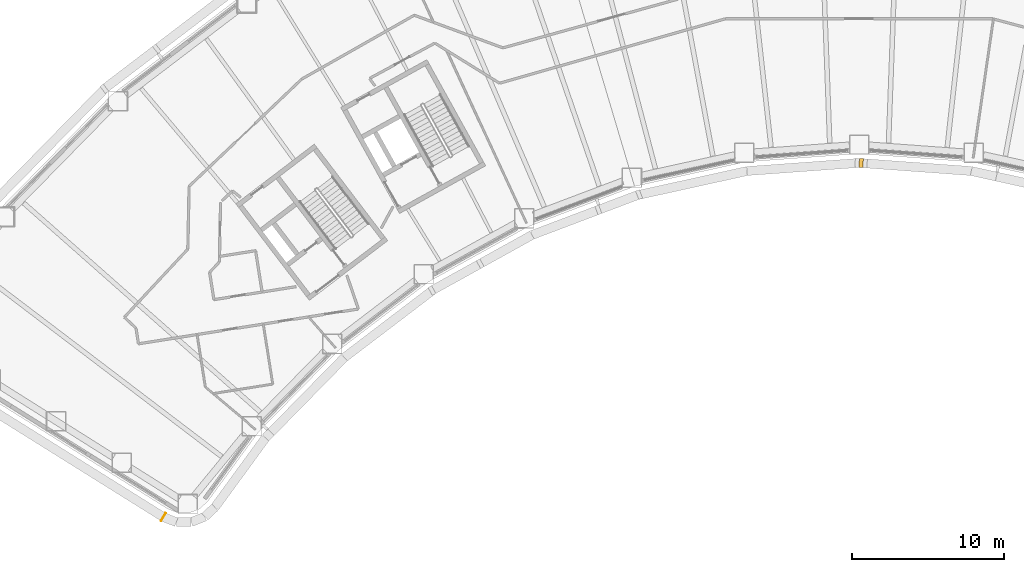
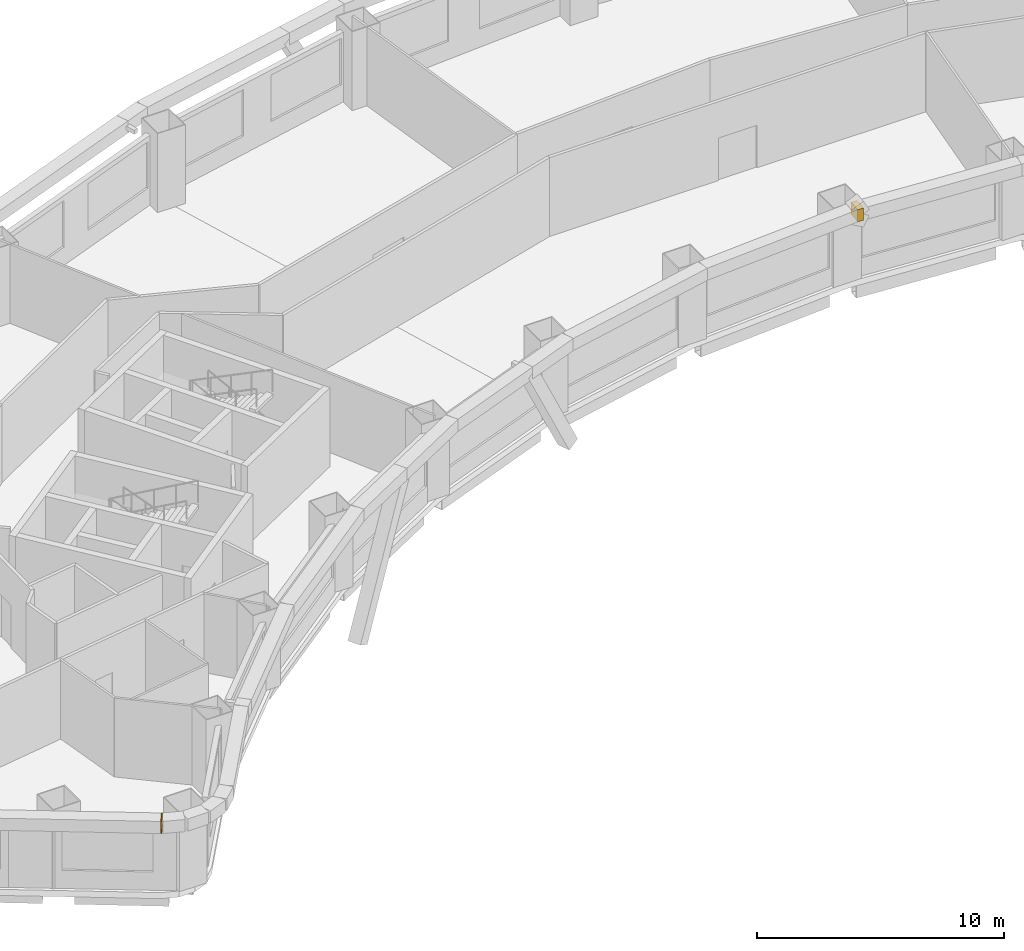
# One storey, part 14 of 14: 2 coverings.
"""IFC4 building model written with IfcOpenShell, lengths in metres."""

from ifc_helpers import new_model, si_unit, direction, frame, origin, origin_2d, place, context, subcontext, project, spatial, rectangle, extrude, material, material_profile, profile_set, type_object, element, save


model = new_model("IFC4")

# Units and contexts
model_context = context("Model", 3, precision=1e-05, world=origin(), true_north=direction((0.0, 1.0)))
body_context = subcontext(model_context, "Body", "Model", "MODEL_VIEW")
ifc_project = project(units=[si_unit("LENGTHUNIT", "METRE"), si_unit("AREAUNIT", "SQUARE_METRE"), si_unit("VOLUMEUNIT", "CUBIC_METRE"), si_unit("PLANEANGLEUNIT", "RADIAN"), si_unit("MASSUNIT", "GRAM", prefix="KILO")], contexts=[model_context])

# Site, building, storey
site_placement = place(None, origin())
site = spatial("IfcSite", under=ifc_project, at=site_placement, CompositionType="ELEMENT")
building_placement = place(site_placement, origin())
building = spatial("IfcBuilding", under=site, at=building_placement, Name="Tuul Gate Civic Tower", CompositionType="ELEMENT")
storey_placement = place(building_placement, frame((0.0, 0.0, 44.10009765625)))
storey = spatial("IfcBuildingStorey", under=building, at=storey_placement, Name="Level 09", CompositionType="ELEMENT", Elevation=44.10009765625)

# Coverings
ifc_material = material(Name="Terracotta baguette", Category="masonry")
ifc_material_profile = material_profile(ifc_material, rectangle(XDim=0.60009765625, YDim=0.60009765625, at=origin_2d()), Name="Terracotta baguette screen frame")
ifc_profile_set = profile_set([ifc_material_profile], Name="Terracotta baguette")
covering_type = type_object("IfcCoveringType", Name="Terracotta baguette screen frame", PredefinedType="CLADDING", material=ifc_profile_set)
covering_1_placement = place(storey_placement, frame((-45.928955078125, -32.0078125, 3.849853515625), z_axis=(0.848261487435, -0.529577613702, 0.0), x_axis=(0.529577613702, 0.848261487435, 0.0)))
element("IfcCovering", 1, at=covering_1_placement, inside=storey, type_object=covering_type, Name="Baguette 164", PredefinedType="CLADDING", context=body_context, shape_type="SweptSolid", body=[
    extrude(rectangle(XDim=0.60009765625, YDim=0.60009765625, at=origin_2d()), origin(), (0.0, 0.0, 1.0), 0.052001953125),
])
covering_2_placement = place(storey_placement, frame((0.0, -8.660888671875, 3.849853515625), z_axis=(0.997373140926, -0.072434920849, 0.0), x_axis=(0.072434920849, 0.997373140926, 0.0)))
element("IfcCovering", 2, at=covering_2_placement, inside=storey, type_object=covering_type, Name="Baguette 357", PredefinedType="CLADDING", context=body_context, shape_type="SweptSolid", body=[
    extrude(rectangle(XDim=0.60009765625, YDim=0.60009765625, at=origin_2d()), origin(), (0.0, 0.0, 1.0), 0.262939453125),
])

save(model, "model.ifc")
